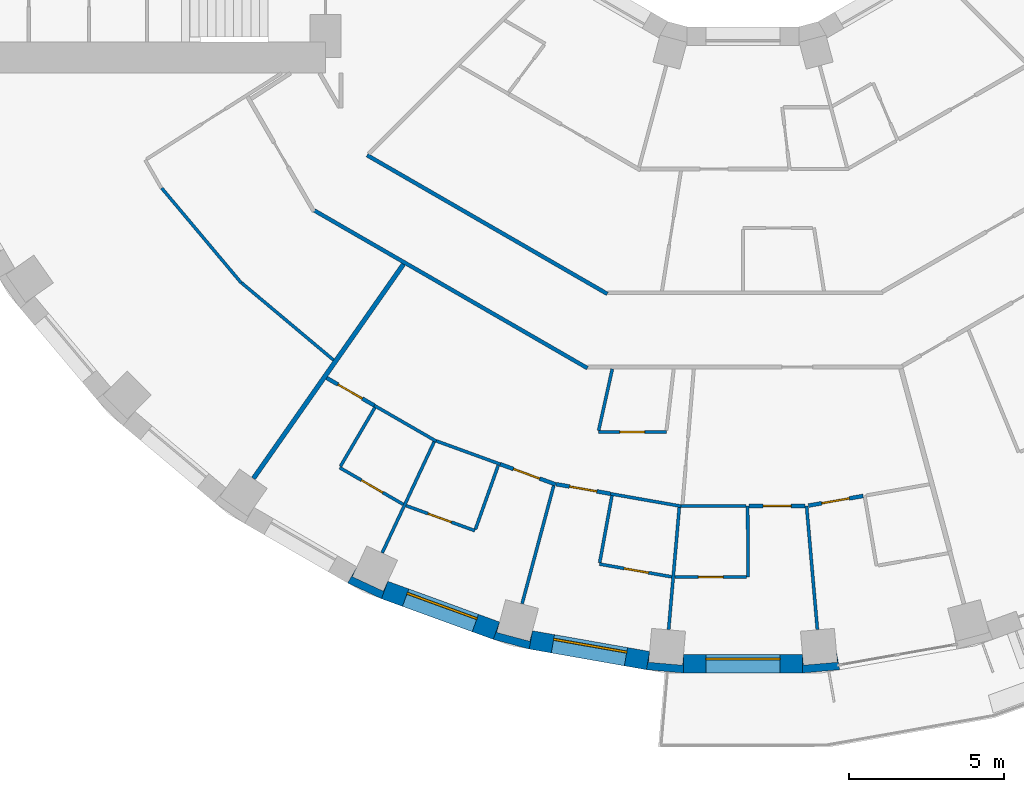
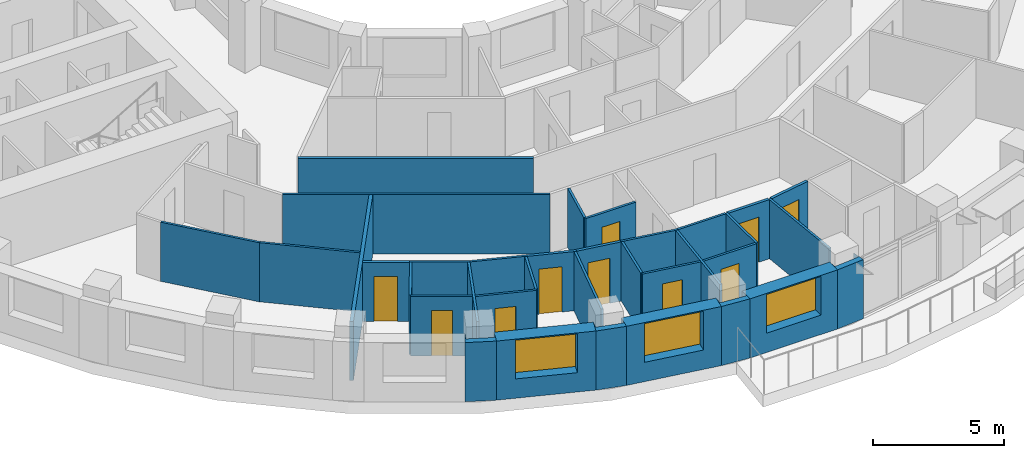
# One storey, part 5 of 17: 35 walls, 10 doors, 3 windows, 13 openings.
"""IFC4 building model written with IfcOpenShell, lengths in metres."""

from ifc_helpers import new_model, si_unit, direction, frame, frame_2d, origin, place, context, subcontext, project, spatial, polyline, rectangle, outline, extrude, material, layer, layer_set, type_object, element, fill, save


model = new_model("IFC4")

# Units and contexts
model_context = context("Model", 3, precision=1e-05, world=origin(), true_north=direction((0.0, 1.0)))
body_context = subcontext(model_context, "Body", "Model", "MODEL_VIEW")
ifc_project = project(units=[si_unit("LENGTHUNIT", "METRE"), si_unit("AREAUNIT", "SQUARE_METRE"), si_unit("VOLUMEUNIT", "CUBIC_METRE"), si_unit("PLANEANGLEUNIT", "RADIAN"), si_unit("MASSUNIT", "GRAM", prefix="KILO")], contexts=[model_context])

# Site, building, storey
site_placement = place(None, origin())
site = spatial("IfcSite", under=ifc_project, at=site_placement, CompositionType="ELEMENT")
building_placement = place(site_placement, origin())
building = spatial("IfcBuilding", under=site, at=building_placement, Name="Saqina Gate Tower", CompositionType="ELEMENT")
storey_placement = place(building_placement, frame((0.0, 0.0, 29.60009765625)))
storey = spatial("IfcBuildingStorey", under=building, at=storey_placement, Name="L07", CompositionType="ELEMENT", Elevation=29.60009765625)

# Walls
ifc_material_1 = material(Name="Brick masonry (red)", Category="masonry")
wall_type_1 = type_object("IfcWallType", Name="BRICK PIER COPING RED", PredefinedType="SOLIDWALL", material=ifc_material_1)
wall_1_placement = place(storey_placement, origin())
element("IfcWall", 1, at=wall_1_placement, inside=storey, type_object=wall_type_1, Name="Pier cap L07 column 25", PredefinedType="SOLIDWALL", context=body_context, shape_type="SweptSolid", body=[
    extrude(outline(polyline([(-11.687744140625, -26.48974609375), (-11.482666015625, -25.92578125), (-11.630615234375, -26.243408203125), (-12.627685546875, -25.778564453125), (-12.4794921875, -25.4609375), (-12.779541015625, -25.980712890625), (-11.687744140625, -26.48974609375)])), origin(), (0.0, 0.0, 1.0), 2.75),
])
wall_2_placement = place(storey_placement, origin())
element("IfcWall", 2, at=wall_2_placement, inside=storey, type_object=wall_type_1, Name="Pier cap L07 column 26", PredefinedType="SOLIDWALL", context=body_context, shape_type="SweptSolid", body=[
    extrude(outline(polyline([(-6.910400390625, -28.11669921875), (-6.80615234375, -27.52587890625), (-6.896728515625, -27.864501953125), (-7.95947265625, -27.57958984375), (-7.86865234375, -27.2412109375), (-8.073974609375, -27.80517578125), (-6.910400390625, -28.11669921875)])), origin(), (0.0, 0.0, 1.0), 2.75),
])
wall_3_placement = place(storey_placement, origin())
element("IfcWall", 3, at=wall_3_placement, inside=storey, type_object=wall_type_1, Name="Pier cap L07 column 27", PredefinedType="SOLIDWALL", context=body_context, shape_type="SweptSolid", body=[
    extrude(outline(polyline([(-3.122802734375, -28.78466796875), (-1.9228515625, -28.8896484375), (-1.9228515625, -28.28955078125), (-1.95361328125, -28.638671875), (-3.04931640625, -28.54296875), (-3.018798828125, -28.19384765625), (-3.122802734375, -28.78466796875)])), origin(), (0.0, 0.0, 1.0), 2.75),
])
wall_4_placement = place(storey_placement, origin())
element("IfcWall", 4, at=wall_4_placement, inside=storey, type_object=wall_type_1, Name="Pier cap L07 column 28", PredefinedType="SOLIDWALL", context=body_context, shape_type="SweptSolid", body=[
    extrude(outline(polyline([(1.9228515625, -28.8896484375), (3.122802734375, -28.78466796875), (3.018798828125, -28.19384765625), (3.04931640625, -28.54296875), (1.95361328125, -28.638671875), (1.9228515625, -28.28955078125), (1.9228515625, -28.8896484375)])), origin(), (0.0, 0.0, 1.0), 2.75),
])

# Wall, opening, window
ifc_material_2 = material(Name="Brick masonry (red)", Category="masonry")
ifc_layer_1 = layer(ifc_material_2, 0.60009765625)
ifc_layer_set_1 = layer_set([ifc_layer_1], Name="FW-BRICK-RED")
wall_type_2 = type_object("IfcWallType", Name="FW-BRICK-RED", PredefinedType="SOLIDWALL", material=ifc_layer_set_1)
wall_5_placement = place(storey_placement, frame((-11.585205078125, -26.207763671875, 0.0), z_axis=(0.0, 0.0, 1.0), x_axis=(0.939689588564, -0.342028474173, 0.0)))
wall_5 = element("IfcWall", 5, at=wall_5_placement, inside=storey, type_object=wall_type_2, Name="Facade wall L07 facet 25", PredefinedType="SOLIDWALL", context=body_context, shape_type="SweptSolid", body=[
    extrude(rectangle(XDim=3.845947265625, YDim=0.60009765625, at=frame_2d((1.9228515625, 0.0))), origin(), (0.0, 0.0, 1.0), 2.75),
])
opening_1_placement = place(wall_5_placement, frame((0.722900390625, 0.0, 0.89990234375)))
opening_1 = element("IfcOpeningElement", 6, at=opening_1_placement, cuts=wall_5, Name="Opening G01-W18", PredefinedType="OPENING", context=body_context, shape_type="SweptSolid", body=[
    extrude(rectangle(XDim=2.39990234375, YDim=1.800048828125, at=frame_2d((1.199951171875, 0.89990234375))), frame((0.0, 0.31201171875, 0.0), z_axis=(0.0, -1.0, 0.0), x_axis=(1.0, 0.0, 0.0)), (0.0, 0.0, 1.0), 0.6240234375),
])
ifc_material_3 = material(Name="Aluminium glazing", Category="aluminium")
window_type = type_object("IfcWindowType", Name="WN-A", PartitioningType="SINGLE_PANEL", PredefinedType="WINDOW", material=ifc_material_3)
window_1_placement = place(opening_1_placement, origin())
window_1 = element("IfcWindow", 7, at=window_1_placement, inside=storey, type_object=window_type, Name="Window L07 facet 25", OverallHeight=1.800048828125, OverallWidth=2.39990234375, PartitioningType="SINGLE_PANEL", PredefinedType="WINDOW", context=body_context, shape_type="SweptSolid", body=[
    extrude(rectangle(XDim=2.39990234375, YDim=1.800048828125, at=frame_2d((1.199951171875, 0.89990234375))), frame((0.0, 0.179931640625, 0.0), z_axis=(0.0, -1.0, 0.0), x_axis=(1.0, 0.0, 0.0)), (0.0, 0.0, 1.0), 0.06005859375),
])
fill(opening_1, window_1)

wall_6_placement = place(storey_placement, frame((-6.858154296875, -27.8212890625, 0.0), z_axis=(0.0, 0.0, 1.0), x_axis=(0.984800809218, -0.173687553279, 0.0)))
wall_6 = element("IfcWall", 8, at=wall_6_placement, inside=storey, type_object=wall_type_2, Name="Facade wall L07 facet 26", PredefinedType="SOLIDWALL", context=body_context, shape_type="SweptSolid", body=[
    extrude(rectangle(XDim=3.845703125, YDim=0.60009765625, at=frame_2d((1.9228515625, 0.0))), origin(), (0.0, 0.0, 1.0), 2.75),
])
opening_2_placement = place(wall_6_placement, frame((0.722900390625, 0.0, 0.89990234375)))
opening_2 = element("IfcOpeningElement", 9, at=opening_2_placement, cuts=wall_6, Name="Opening G01-W19", PredefinedType="OPENING", context=body_context, shape_type="SweptSolid", body=[
    extrude(rectangle(XDim=2.39990234375, YDim=1.800048828125, at=frame_2d((1.199951171875, 0.89990234375))), frame((0.0, 0.31201171875, 0.0), z_axis=(0.0, -1.0, 0.0), x_axis=(1.0, 0.0, 0.0)), (0.0, 0.0, 1.0), 0.6240234375),
])
window_2_placement = place(opening_2_placement, origin())
window_2 = element("IfcWindow", 10, at=window_2_placement, inside=storey, type_object=window_type, Name="Window L07 facet 26", OverallHeight=1.800048828125, OverallWidth=2.39990234375, PartitioningType="SINGLE_PANEL", PredefinedType="WINDOW", context=body_context, shape_type="SweptSolid", body=[
    extrude(rectangle(XDim=2.39990234375, YDim=1.800048828125, at=frame_2d((1.199951171875, 0.89990234375))), frame((0.0, 0.179931640625, 0.0), z_axis=(0.0, -1.0, 0.0), x_axis=(1.0, 0.0, 0.0)), (0.0, 0.0, 1.0), 0.06005859375),
])
fill(opening_2, window_2)

wall_7_placement = place(storey_placement, frame((-1.9228515625, -28.589599609375, 0.0), z_axis=(0.0, 0.0, 1.0), x_axis=(1.0, 0.0, 0.0)))
wall_7 = element("IfcWall", 11, at=wall_7_placement, inside=storey, type_object=wall_type_2, Name="Facade wall L07 facet 27", PredefinedType="SOLIDWALL", context=body_context, shape_type="SweptSolid", body=[
    extrude(rectangle(XDim=3.845703125, YDim=0.60009765625, at=frame_2d((1.9228515625, 0.0))), origin(), (0.0, 0.0, 1.0), 2.75),
])
opening_3_placement = place(wall_7_placement, frame((0.722900390625, 0.0, 0.89990234375)))
opening_3 = element("IfcOpeningElement", 12, at=opening_3_placement, cuts=wall_7, Name="Opening G01-W20", PredefinedType="OPENING", context=body_context, shape_type="SweptSolid", body=[
    extrude(rectangle(XDim=2.39990234375, YDim=1.800048828125, at=frame_2d((1.199951171875, 0.89990234375))), frame((0.0, 0.31201171875, 0.0), z_axis=(0.0, -1.0, 0.0), x_axis=(1.0, 0.0, 0.0)), (0.0, 0.0, 1.0), 0.6240234375),
])
window_3_placement = place(opening_3_placement, origin())
window_3 = element("IfcWindow", 13, at=window_3_placement, inside=storey, type_object=window_type, Name="Window L07 facet 27", OverallHeight=1.800048828125, OverallWidth=2.39990234375, PartitioningType="SINGLE_PANEL", PredefinedType="WINDOW", context=body_context, shape_type="SweptSolid", body=[
    extrude(rectangle(XDim=2.39990234375, YDim=1.800048828125, at=frame_2d((1.199951171875, 0.89990234375))), frame((0.0, 0.179931640625, 0.0), z_axis=(0.0, -1.0, 0.0), x_axis=(1.0, 0.0, 0.0)), (0.0, 0.0, 1.0), 0.06005859375),
])
fill(opening_3, window_3)

# Walls
ifc_material_4 = material(Name="Gypsum board on steel studs, 100 mm", Category="steel")
ifc_layer_2 = layer(ifc_material_4, 0.10009765625)
ifc_layer_set_2 = layer_set([ifc_layer_2], Name="PARTITION 100")
wall_type_3 = type_object("IfcWallType", Name="PARTITION 100", PredefinedType="PARTITIONING", material=ifc_layer_set_2)
wall_8_placement = place(storey_placement, frame((0.14990234375, -23.489990234375, 0.0), z_axis=(0.0, 0.0, 1.0), x_axis=(0.006580899844, -0.999978345644, 0.0)))
element("IfcWall", 14, at=wall_8_placement, inside=storey, type_object=wall_type_3, Name="PARTITION PW3-02", PredefinedType="PARTITIONING", context=body_context, shape_type="SweptSolid", body=[
    extrude(rectangle(XDim=2.300048828125, YDim=0.10009765625, at=frame_2d((1.14990234375, 0.0))), origin(), (0.0, 0.0, 1.0), 2.75),
])
wall_9_placement = place(storey_placement, frame((2.054931640625, -23.489990234375, 0.0), z_axis=(0.0, 0.0, 1.0), x_axis=(0.087176012461, -0.996192924514, 0.0)))
element("IfcWall", 15, at=wall_9_placement, inside=storey, type_object=wall_type_3, Name="PARTITION PW3-04", PredefinedType="PARTITIONING", context=body_context, shape_type="SweptSolid", body=[
    extrude(rectangle(XDim=4.010498046875, YDim=0.10009765625, at=frame_2d((2.00537109375, 0.0))), origin(), (0.0, 0.0, 1.0), 2.75),
])
wall_10_placement = place(storey_placement, frame((-18.789794921875, -13.21728515625, 0.0), z_axis=(0.0, 0.0, 1.0), x_axis=(0.642871887239, -0.765973717955, 0.0)))
element("IfcWall", 16, at=wall_10_placement, inside=storey, type_object=wall_type_3, Name="PARTITION PW3-28", PredefinedType="PARTITIONING", context=body_context, shape_type="SweptSolid", body=[
    extrude(rectangle(XDim=4.006103515625, YDim=0.10009765625, at=frame_2d((2.0029296875, 0.0))), origin(), (0.0, 0.0, 1.0), 2.75),
])
wall_11_placement = place(storey_placement, frame((-16.208740234375, -16.279052734375, 0.0), z_axis=(0.0, 0.0, 1.0), x_axis=(0.765983658549, -0.642860042961, 0.0)))
element("IfcWall", 17, at=wall_11_placement, inside=storey, type_object=wall_type_3, Name="PARTITION PW3-33", PredefinedType="PARTITIONING", context=body_context, shape_type="SweptSolid", body=[
    extrude(rectangle(XDim=3.880615234375, YDim=0.10009765625, at=frame_2d((1.9404296875, 0.0))), origin(), (0.0, 0.0, 1.0), 2.75),
])

# Wall, opening, door
wall_12_placement = place(storey_placement, frame((-13.0380859375, -22.251953125, 0.0), z_axis=(0.0, 0.0, 1.0), x_axis=(0.865966132161, -0.500102647413, 0.0)))
wall_12 = element("IfcWall", 18, at=wall_12_placement, inside=storey, type_object=wall_type_3, Name="PARTITION PW3-37", PredefinedType="PARTITIONING", context=body_context, shape_type="SweptSolid", body=[
    extrude(rectangle(XDim=2.37158203125, YDim=0.10009765625, at=frame_2d((1.185791015625, 0.0))), origin(), (0.0, 0.0, 1.0), 2.75),
])
opening_4_placement = place(wall_12_placement, frame((0.810791015625, 0.0, 0.0)))
opening_4 = element("IfcOpeningElement", 19, at=opening_4_placement, cuts=wall_12, Name="Opening G01-D44", PredefinedType="OPENING", context=body_context, shape_type="SweptSolid", body=[
    extrude(rectangle(XDim=0.800048828125, YDim=2.10009765625, at=frame_2d((0.39990234375, 1.050048828125))), frame((0.0, 0.06201171875, 0.0), z_axis=(0.0, -1.0, 0.0), x_axis=(1.0, 0.0, 0.0)), (0.0, 0.0, 1.0), 0.1240234375),
])
ifc_material_5 = material(Name="Timber door leaf, 800 mm", Category="wood")
door_type_1 = type_object("IfcDoorType", Name="DOOR 800 TIMBER", OperationType="SINGLE_SWING_LEFT", PredefinedType="DOOR", material=ifc_material_5)
door_1_placement = place(opening_4_placement, frame((0.800048828125, 0.0, 0.0), z_axis=(0.0, 0.0, 1.0), x_axis=(-1.0, 0.0, 0.0)))
door_1 = element("IfcDoor", 20, at=door_1_placement, inside=storey, type_object=door_type_1, Name="DOOR G01-D44", OperationType="SINGLE_SWING_LEFT", OverallHeight=2.10009765625, OverallWidth=0.800048828125, PredefinedType="DOOR", context=body_context, shape_type="SweptSolid", body=[
    extrude(rectangle(XDim=0.800048828125, YDim=2.10009765625, at=frame_2d((0.39990234375, 1.050048828125))), frame((0.0, 0.02490234375, 0.0), z_axis=(0.0, -1.0, 0.0), x_axis=(1.0, 0.0, 0.0)), (0.0, 0.0, 1.0), 0.050048828125),
])
fill(opening_4, door_1)

# Wall
wall_13_placement = place(storey_placement, frame((-11.918212890625, -20.24267578125, 0.0), z_axis=(0.0, 0.0, 1.0), x_axis=(0.866176772653, -0.49973772973, 0.0)))
element("IfcWall", 21, at=wall_13_placement, inside=storey, type_object=wall_type_3, Name="PARTITION PW3-38", PredefinedType="PARTITIONING", context=body_context, shape_type="SweptSolid", body=[
    extrude(rectangle(XDim=2.305908203125, YDim=0.10009765625, at=frame_2d((1.15283203125, 0.0))), origin(), (0.0, 0.0, 1.0), 2.75),
])

# Wall, opening, door
wall_14_placement = place(storey_placement, frame((-10.89404296875, -23.47998046875, 0.0), z_axis=(0.0, 0.0, 1.0), x_axis=(0.939679129941, -0.342057206844, 0.0)))
wall_14 = element("IfcWall", 22, at=wall_14_placement, inside=storey, type_object=wall_type_3, Name="PARTITION PW3-47", PredefinedType="PARTITIONING", context=body_context, shape_type="SweptSolid", body=[
    extrude(rectangle(XDim=2.37109375, YDim=0.10009765625, at=frame_2d((1.185546875, 0.0))), origin(), (0.0, 0.0, 1.0), 2.75),
])
opening_5_placement = place(wall_14_placement, frame((0.760498046875, 0.0, 0.0)))
opening_5 = element("IfcOpeningElement", 23, at=opening_5_placement, cuts=wall_14, Name="Opening G01-D46", PredefinedType="OPENING", context=body_context, shape_type="SweptSolid", body=[
    extrude(rectangle(XDim=0.800048828125, YDim=2.10009765625, at=frame_2d((0.39990234375, 1.050048828125))), frame((0.0, 0.06201171875, 0.0), z_axis=(0.0, -1.0, 0.0), x_axis=(1.0, 0.0, 0.0)), (0.0, 0.0, 1.0), 0.1240234375),
])
door_2_placement = place(opening_5_placement, frame((0.800048828125, 0.0, 0.0), z_axis=(0.0, 0.0, 1.0), x_axis=(-1.0, 0.0, 0.0)))
door_2 = element("IfcDoor", 24, at=door_2_placement, inside=storey, type_object=door_type_1, Name="DOOR G01-D46", OperationType="SINGLE_SWING_RIGHT", OverallHeight=2.10009765625, OverallWidth=0.800048828125, PredefinedType="DOOR", context=body_context, shape_type="SweptSolid", body=[
    extrude(rectangle(XDim=0.800048828125, YDim=2.10009765625, at=frame_2d((0.39990234375, 1.050048828125))), frame((0.0, 0.02490234375, 0.0), z_axis=(0.0, -1.0, 0.0), x_axis=(1.0, 0.0, 0.0)), (0.0, 0.0, 1.0), 0.050048828125),
])
fill(opening_5, door_2)

# Wall
wall_15_placement = place(storey_placement, frame((-9.91796875, -21.38720703125, 0.0), z_axis=(0.0, 0.0, 1.0), x_axis=(0.939728749343, -0.341920864613, 0.0)))
element("IfcWall", 25, at=wall_15_placement, inside=storey, type_object=wall_type_3, Name="PARTITION PW3-48", PredefinedType="PARTITIONING", context=body_context, shape_type="SweptSolid", body=[
    extrude(rectangle(XDim=2.204833984375, YDim=0.10009765625, at=frame_2d((1.1025390625, 0.0))), origin(), (0.0, 0.0, 1.0), 2.75),
])

# Wall, opening, door
wall_16_placement = place(storey_placement, frame((-4.64111328125, -25.368896484375, 0.0), z_axis=(0.0, 0.0, 1.0), x_axis=(0.984774232096, -0.17383817705, 0.0)))
wall_16 = element("IfcWall", 26, at=wall_16_placement, inside=storey, type_object=wall_type_3, Name="PARTITION PW3-51", PredefinedType="PARTITIONING", context=body_context, shape_type="SweptSolid", body=[
    extrude(rectangle(XDim=2.3720703125, YDim=0.10009765625, at=frame_2d((1.18603515625, 0.0))), origin(), (0.0, 0.0, 1.0), 2.75),
])
opening_6_placement = place(wall_16_placement, frame((0.810791015625, 0.0, 0.0)))
opening_6 = element("IfcOpeningElement", 27, at=opening_6_placement, cuts=wall_16, Name="Opening G01-D51", PredefinedType="OPENING", context=body_context, shape_type="SweptSolid", body=[
    extrude(rectangle(XDim=0.800048828125, YDim=2.10009765625, at=frame_2d((0.39990234375, 1.050048828125))), frame((0.0, 0.06201171875, 0.0), z_axis=(0.0, -1.0, 0.0), x_axis=(1.0, 0.0, 0.0)), (0.0, 0.0, 1.0), 0.1240234375),
])
door_3_placement = place(opening_6_placement, frame((0.800048828125, 0.0, 0.0), z_axis=(0.0, 0.0, 1.0), x_axis=(-1.0, 0.0, 0.0)))
door_3 = element("IfcDoor", 28, at=door_3_placement, inside=storey, type_object=door_type_1, Name="DOOR G01-D51", OperationType="SINGLE_SWING_LEFT", OverallHeight=2.10009765625, OverallWidth=0.800048828125, PredefinedType="DOOR", context=body_context, shape_type="SweptSolid", body=[
    extrude(rectangle(XDim=0.800048828125, YDim=2.10009765625, at=frame_2d((0.39990234375, 1.050048828125))), frame((0.0, 0.02490234375, 0.0), z_axis=(0.0, -1.0, 0.0), x_axis=(1.0, 0.0, 0.0)), (0.0, 0.0, 1.0), 0.050048828125),
])
fill(opening_6, door_3)

# Wall
wall_17_placement = place(storey_placement, frame((-4.276123046875, -23.098388671875, 0.0), z_axis=(0.0, 0.0, 1.0), x_axis=(0.984814448646, -0.173610200557, 0.0)))
element("IfcWall", 29, at=wall_17_placement, inside=storey, type_object=wall_type_3, Name="PARTITION PW3-52", PredefinedType="PARTITIONING", context=body_context, shape_type="SweptSolid", body=[
    extrude(rectangle(XDim=2.30615234375, YDim=0.10009765625, at=frame_2d((1.153076171875, 0.0))), origin(), (0.0, 0.0, 1.0), 2.75),
])

# Wall, opening, door
wall_18_placement = place(storey_placement, frame((-2.2060546875, -25.7900390625, 0.0), z_axis=(0.0, 0.0, 1.0), x_axis=(1.0, 0.0, 0.0)))
wall_18 = element("IfcWall", 30, at=wall_18_placement, inside=storey, type_object=wall_type_3, Name="PARTITION PW3-55", PredefinedType="PARTITIONING", context=body_context, shape_type="SweptSolid", body=[
    extrude(rectangle(XDim=2.321044921875, YDim=0.10009765625, at=frame_2d((1.16064453125, 0.0))), origin(), (0.0, 0.0, 1.0), 2.75),
])
opening_7_placement = place(wall_18_placement, frame((0.760498046875, 0.0, 0.0)))
opening_7 = element("IfcOpeningElement", 31, at=opening_7_placement, cuts=wall_18, Name="Opening G01-D54", PredefinedType="OPENING", context=body_context, shape_type="SweptSolid", body=[
    extrude(rectangle(XDim=0.800048828125, YDim=2.10009765625, at=frame_2d((0.39990234375, 1.050048828125))), frame((0.0, 0.06201171875, 0.0), z_axis=(0.0, -1.0, 0.0), x_axis=(1.0, 0.0, 0.0)), (0.0, 0.0, 1.0), 0.1240234375),
])
door_4_placement = place(opening_7_placement, frame((0.800048828125, 0.0, 0.0), z_axis=(0.0, 0.0, 1.0), x_axis=(-1.0, 0.0, 0.0)))
door_4 = element("IfcDoor", 32, at=door_4_placement, inside=storey, type_object=door_type_1, Name="DOOR G01-D54", OperationType="SINGLE_SWING_RIGHT", OverallHeight=2.10009765625, OverallWidth=0.800048828125, PredefinedType="DOOR", context=body_context, shape_type="SweptSolid", body=[
    extrude(rectangle(XDim=0.800048828125, YDim=2.10009765625, at=frame_2d((0.39990234375, 1.050048828125))), frame((0.0, 0.02490234375, 0.0), z_axis=(0.0, -1.0, 0.0), x_axis=(1.0, 0.0, 0.0)), (0.0, 0.0, 1.0), 0.050048828125),
])
fill(opening_7, door_4)

# Wall
wall_19_placement = place(storey_placement, frame((-2.0048828125, -23.489990234375, 0.0), z_axis=(0.0, 0.0, 1.0), x_axis=(1.0, 0.0, 0.0)))
element("IfcWall", 33, at=wall_19_placement, inside=storey, type_object=wall_type_3, Name="PARTITION PW3-56", PredefinedType="PARTITIONING", context=body_context, shape_type="SweptSolid", body=[
    extrude(rectangle(XDim=2.10498046875, YDim=0.10009765625, at=frame_2d((1.052490234375, 0.0))), origin(), (0.0, 0.0, 1.0), 2.75),
])

# Wall, opening, door
wall_20_placement = place(storey_placement, frame((-4.677978515625, -21.10009765625, 0.0), z_axis=(0.0, 0.0, 1.0), x_axis=(1.0, 0.0, 0.0)))
wall_20 = element("IfcWall", 34, at=wall_20_placement, inside=storey, type_object=wall_type_3, Name="PARTITION PW3-57", PredefinedType="PARTITIONING", context=body_context, shape_type="SweptSolid", body=[
    extrude(rectangle(XDim=2.197998046875, YDim=0.10009765625, at=frame_2d((1.09912109375, 0.0))), origin(), (0.0, 0.0, 1.0), 2.75),
])
opening_8_placement = place(wall_20_placement, frame((0.698974609375, 0.0, 0.0)))
opening_8 = element("IfcOpeningElement", 35, at=opening_8_placement, cuts=wall_20, Name="Opening G01-D49", PredefinedType="OPENING", context=body_context, shape_type="SweptSolid", body=[
    extrude(rectangle(XDim=0.800048828125, YDim=2.10009765625, at=frame_2d((0.39990234375, 1.050048828125))), frame((0.0, 0.06201171875, 0.0), z_axis=(0.0, -1.0, 0.0), x_axis=(1.0, 0.0, 0.0)), (0.0, 0.0, 1.0), 0.1240234375),
])
door_5_placement = place(opening_8_placement, frame((0.800048828125, 0.0, 0.0), z_axis=(0.0, 0.0, 1.0), x_axis=(-1.0, 0.0, 0.0)))
door_5 = element("IfcDoor", 36, at=door_5_placement, inside=storey, type_object=door_type_1, Name="DOOR G01-D49", OperationType="SINGLE_SWING_LEFT", OverallHeight=2.10009765625, OverallWidth=0.800048828125, PredefinedType="DOOR", context=body_context, shape_type="SweptSolid", body=[
    extrude(rectangle(XDim=0.800048828125, YDim=2.10009765625, at=frame_2d((0.39990234375, 1.050048828125))), frame((0.0, 0.02490234375, 0.0), z_axis=(0.0, -1.0, 0.0), x_axis=(1.0, 0.0, 0.0)), (0.0, 0.0, 1.0), 0.050048828125),
])
fill(opening_8, door_5)

# Walls
wall_21_placement = place(storey_placement, frame((-13.0126953125, -22.208984375, 0.0), z_axis=(0.0, 0.0, 1.0), x_axis=(0.505622659536, 0.862754731174, 0.0)))
element("IfcWall", 37, at=wall_21_placement, inside=storey, type_object=wall_type_3, Name="PARTITION PW3-100", PredefinedType="PARTITIONING", context=body_context, shape_type="SweptSolid", body=[
    extrude(rectangle(XDim=2.199951171875, YDim=0.10009765625, at=frame_2d((1.10009765625, 0.0))), origin(), (0.0, 0.0, 1.0), 2.75),
])
wall_22_placement = place(storey_placement, frame((-11.66162109375, -25.004150390625, 0.0), z_axis=(0.0, 0.0, 1.0), x_axis=(0.423587219874, 0.905855323525, 0.0)))
element("IfcWall", 38, at=wall_22_placement, inside=storey, type_object=wall_type_3, Name="PARTITION PW3-104", PredefinedType="PARTITIONING", context=body_context, shape_type="SweptSolid", body=[
    extrude(rectangle(XDim=3.960693359375, YDim=0.10009765625, at=frame_2d((1.98046875, 0.0))), origin(), (0.0, 0.0, 1.0), 2.75),
])
wall_23_placement = place(storey_placement, frame((-8.649169921875, -24.243896484375, 0.0), z_axis=(0.0, 0.0, 1.0), x_axis=(0.335940567571, 0.941883185464, 0.0)))
element("IfcWall", 39, at=wall_23_placement, inside=storey, type_object=wall_type_3, Name="PARTITION PW3-106", PredefinedType="PARTITIONING", context=body_context, shape_type="SweptSolid", body=[
    extrude(rectangle(XDim=2.188232421875, YDim=0.10009765625, at=frame_2d((1.09423828125, 0.0))), origin(), (0.0, 0.0, 1.0), 2.75),
])
wall_24_placement = place(storey_placement, frame((-7.140625, -26.64990234375, 0.0), z_axis=(0.0, 0.0, 1.0), x_axis=(0.258740206688, 0.96594694753, 0.0)))
element("IfcWall", 40, at=wall_24_placement, inside=storey, type_object=wall_type_3, Name="PARTITION PW3-108", PredefinedType="PARTITIONING", context=body_context, shape_type="SweptSolid", body=[
    extrude(rectangle(XDim=3.947998046875, YDim=0.10009765625, at=frame_2d((1.97412109375, 0.0))), origin(), (0.0, 0.0, 1.0), 2.75),
])
wall_25_placement = place(storey_placement, frame((-4.667236328125, -21.05126953125, 0.0), z_axis=(0.0, 0.0, 1.0), x_axis=(0.216638806782, 0.976251825809, 0.0)))
element("IfcWall", 41, at=wall_25_placement, inside=storey, type_object=wall_type_3, Name="PARTITION PW3-111", PredefinedType="PARTITIONING", context=body_context, shape_type="SweptSolid", body=[
    extrude(rectangle(XDim=2.03857421875, YDim=0.10009765625, at=frame_2d((1.019287109375, 0.0))), origin(), (0.0, 0.0, 1.0), 2.75),
])
wall_26_placement = place(storey_placement, frame((-4.632080078125, -25.31982421875, 0.0), z_axis=(0.0, 0.0, 1.0), x_axis=(0.180037913286, 0.983659671726, 0.0)))
element("IfcWall", 42, at=wall_26_placement, inside=storey, type_object=wall_type_3, Name="PARTITION PW3-112", PredefinedType="PARTITIONING", context=body_context, shape_type="SweptSolid", body=[
    extrude(rectangle(XDim=2.199462890625, YDim=0.10009765625, at=frame_2d((1.099609375, 0.0))), origin(), (0.0, 0.0, 1.0), 2.75),
])
wall_27_placement = place(storey_placement, frame((-2.404052734375, -27.485107421875, 0.0), z_axis=(0.0, 0.0, 1.0), x_axis=(0.087044593785, 0.996204416118, 0.0)))
element("IfcWall", 43, at=wall_27_placement, inside=storey, type_object=wall_type_3, Name="PARTITION PW3-117", PredefinedType="PARTITIONING", context=body_context, shape_type="SweptSolid", body=[
    extrude(rectangle(XDim=3.96044921875, YDim=0.10009765625, at=frame_2d((1.980224609375, 0.0))), origin(), (0.0, 0.0, 1.0), 2.75),
])

# Wall, opening, door
ifc_material_6 = material(Name="Gypsum board on steel studs, 125 mm, fire rated", Category="steel")
ifc_layer_3 = layer(ifc_material_6, 0.125)
ifc_layer_set_3 = layer_set([ifc_layer_3], Name="PARTITION EI 30 125")
wall_type_4 = type_object("IfcWallType", Name="PARTITION EI 30 125", PredefinedType="PARTITIONING", material=ifc_layer_set_3)
wall_28_placement = place(storey_placement, frame((-13.458984375, -19.3525390625, 0.0), z_axis=(0.0, 0.0, 1.0), x_axis=(0.865826772399, -0.500343881942, 0.0)))
wall_28 = element("IfcWall", 44, at=wall_28_placement, inside=storey, type_object=wall_type_4, Name="PARTITION PW1-13", PredefinedType="PARTITIONING", context=body_context, shape_type="SweptSolid", body=[
    extrude(rectangle(XDim=1.779541015625, YDim=0.125, at=frame_2d((0.8896484375, 0.0))), origin(), (0.0, 0.0, 1.0), 2.75),
])
opening_9_placement = place(wall_28_placement, frame((0.42724609375, 0.0, 0.0)))
opening_9 = element("IfcOpeningElement", 45, at=opening_9_placement, cuts=wall_28, Name="Opening G01-D43", PredefinedType="OPENING", context=body_context, shape_type="SweptSolid", body=[
    extrude(rectangle(XDim=0.89990234375, YDim=2.10009765625, at=frame_2d((0.449951171875, 1.050048828125))), frame((0.0, 0.074462890625, 0.0), z_axis=(0.0, -1.0, 0.0), x_axis=(1.0, 0.0, 0.0)), (0.0, 0.0, 1.0), 0.14892578125),
])
ifc_material_7 = material(Name="Fire door leaf EI 30, 900 mm")
door_type_2 = type_object("IfcDoorType", Name="DOOR 900 EI 30", OperationType="SINGLE_SWING_LEFT", PredefinedType="DOOR", material=ifc_material_7)
door_6_placement = place(opening_9_placement, origin())
door_6 = element("IfcDoor", 46, at=door_6_placement, inside=storey, type_object=door_type_2, Name="DOOR G01-D43", OperationType="SINGLE_SWING_LEFT", OverallHeight=2.10009765625, OverallWidth=0.89990234375, PredefinedType="DOOR", context=body_context, shape_type="SweptSolid", body=[
    extrude(rectangle(XDim=0.89990234375, YDim=2.10009765625, at=frame_2d((0.449951171875, 1.050048828125))), frame((0.0, 0.02490234375, 0.0), z_axis=(0.0, -1.0, 0.0), x_axis=(1.0, 0.0, 0.0)), (0.0, 0.0, 1.0), 0.050048828125),
])
fill(opening_9, door_6)

# Walls
wall_29_placement = place(storey_placement, frame((-13.85498046875, -13.940185546875, 0.0), z_axis=(0.0, 0.0, 1.0), x_axis=(0.866024825845, -0.50000100102, 0.0)))
element("IfcWall", 47, at=wall_29_placement, inside=storey, type_object=wall_type_4, Name="PARTITION PW1-14", PredefinedType="PARTITIONING", context=body_context, shape_type="SweptSolid", body=[
    extrude(rectangle(XDim=10.19189453125, YDim=0.125, at=frame_2d((5.095947265625, 0.0))), origin(), (0.0, 0.0, 1.0), 2.75),
])
wall_30_placement = place(storey_placement, frame((-12.152099609375, -12.152099609375, 0.0), z_axis=(0.0, 0.0, 1.0), x_axis=(0.866033263559, -0.499986386223, 0.0)))
element("IfcWall", 48, at=wall_30_placement, inside=storey, type_object=wall_type_4, Name="PARTITION PW1-15", PredefinedType="PARTITIONING", context=body_context, shape_type="SweptSolid", body=[
    extrude(rectangle(XDim=8.968017578125, YDim=0.125, at=frame_2d((4.48388671875, 0.0))), origin(), (0.0, 0.0, 1.0), 2.75),
])

# Wall, opening, door
wall_31_placement = place(storey_placement, frame((-7.845947265625, -22.14111328125, 0.0), z_axis=(0.0, 0.0, 1.0), x_axis=(0.939598786757, -0.342277840247, 0.0)))
wall_31 = element("IfcWall", 49, at=wall_31_placement, inside=storey, type_object=wall_type_4, Name="PARTITION PW1-21", PredefinedType="PARTITIONING", context=body_context, shape_type="SweptSolid", body=[
    extrude(rectangle(XDim=1.906005859375, YDim=0.125, at=frame_2d((0.953125, 0.0))), origin(), (0.0, 0.0, 1.0), 2.75),
])
opening_10_placement = place(wall_31_placement, frame((0.452392578125, 0.0, 0.0)))
opening_10 = element("IfcOpeningElement", 50, at=opening_10_placement, cuts=wall_31, Name="Opening G01-D47", PredefinedType="OPENING", context=body_context, shape_type="SweptSolid", body=[
    extrude(rectangle(XDim=0.89990234375, YDim=2.10009765625, at=frame_2d((0.449951171875, 1.050048828125))), frame((0.0, 0.074462890625, 0.0), z_axis=(0.0, -1.0, 0.0), x_axis=(1.0, 0.0, 0.0)), (0.0, 0.0, 1.0), 0.14892578125),
])
door_7_placement = place(opening_10_placement, origin())
door_7 = element("IfcDoor", 51, at=door_7_placement, inside=storey, type_object=door_type_2, Name="DOOR G01-D47", OperationType="SINGLE_SWING_RIGHT", OverallHeight=2.10009765625, OverallWidth=0.89990234375, PredefinedType="DOOR", context=body_context, shape_type="SweptSolid", body=[
    extrude(rectangle(XDim=0.89990234375, YDim=2.10009765625, at=frame_2d((0.449951171875, 1.050048828125))), frame((0.0, 0.02490234375, 0.0), z_axis=(0.0, -1.0, 0.0), x_axis=(1.0, 0.0, 0.0)), (0.0, 0.0, 1.0), 0.050048828125),
])
fill(opening_10, door_7)

wall_32_placement = place(storey_placement, frame((-6.04150390625, -22.786865234375, 0.0), z_axis=(0.0, 0.0, 1.0), x_axis=(0.984784929821, -0.173777564715, 0.0)))
wall_32 = element("IfcWall", 52, at=wall_32_placement, inside=storey, type_object=wall_type_4, Name="PARTITION PW1-23", PredefinedType="PARTITIONING", context=body_context, shape_type="SweptSolid", body=[
    extrude(rectangle(XDim=1.792724609375, YDim=0.125, at=frame_2d((0.896484375, 0.0))), origin(), (0.0, 0.0, 1.0), 2.75),
])
opening_11_placement = place(wall_32_placement, frame((0.43994140625, 0.0, 0.0)))
opening_11 = element("IfcOpeningElement", 53, at=opening_11_placement, cuts=wall_32, Name="Opening G01-D48", PredefinedType="OPENING", context=body_context, shape_type="SweptSolid", body=[
    extrude(rectangle(XDim=0.89990234375, YDim=2.10009765625, at=frame_2d((0.449951171875, 1.050048828125))), frame((0.0, 0.074462890625, 0.0), z_axis=(0.0, -1.0, 0.0), x_axis=(1.0, 0.0, 0.0)), (0.0, 0.0, 1.0), 0.14892578125),
])
door_8_placement = place(opening_11_placement, origin())
door_8 = element("IfcDoor", 54, at=door_8_placement, inside=storey, type_object=door_type_2, Name="DOOR G01-D48", OperationType="SINGLE_SWING_LEFT", OverallHeight=2.10009765625, OverallWidth=0.89990234375, PredefinedType="DOOR", context=body_context, shape_type="SweptSolid", body=[
    extrude(rectangle(XDim=0.89990234375, YDim=2.10009765625, at=frame_2d((0.449951171875, 1.050048828125))), frame((0.0, 0.02490234375, 0.0), z_axis=(0.0, -1.0, 0.0), x_axis=(1.0, 0.0, 0.0)), (0.0, 0.0, 1.0), 0.050048828125),
])
fill(opening_11, door_8)

wall_33_placement = place(storey_placement, frame((0.199951171875, -23.489990234375, 0.0), z_axis=(0.0, 0.0, 1.0), x_axis=(1.0, 0.0, 0.0)))
wall_33 = element("IfcWall", 55, at=wall_33_placement, inside=storey, type_object=wall_type_4, Name="PARTITION PW1-25", PredefinedType="PARTITIONING", context=body_context, shape_type="SweptSolid", body=[
    extrude(rectangle(XDim=1.804931640625, YDim=0.125, at=frame_2d((0.90234375, 0.0))), origin(), (0.0, 0.0, 1.0), 2.75),
])
opening_12_placement = place(wall_33_placement, frame((0.452392578125, 0.0, 0.0)))
opening_12 = element("IfcOpeningElement", 56, at=opening_12_placement, cuts=wall_33, Name="Opening G01-D55", PredefinedType="OPENING", context=body_context, shape_type="SweptSolid", body=[
    extrude(rectangle(XDim=0.89990234375, YDim=2.10009765625, at=frame_2d((0.449951171875, 1.050048828125))), frame((0.0, 0.074462890625, 0.0), z_axis=(0.0, -1.0, 0.0), x_axis=(1.0, 0.0, 0.0)), (0.0, 0.0, 1.0), 0.14892578125),
])
door_9_placement = place(opening_12_placement, origin())
door_9 = element("IfcDoor", 57, at=door_9_placement, inside=storey, type_object=door_type_2, Name="DOOR G01-D55", OperationType="SINGLE_SWING_RIGHT", OverallHeight=2.10009765625, OverallWidth=0.89990234375, PredefinedType="DOOR", context=body_context, shape_type="SweptSolid", body=[
    extrude(rectangle(XDim=0.89990234375, YDim=2.10009765625, at=frame_2d((0.449951171875, 1.050048828125))), frame((0.0, 0.02490234375, 0.0), z_axis=(0.0, -1.0, 0.0), x_axis=(1.0, 0.0, 0.0)), (0.0, 0.0, 1.0), 0.050048828125),
])
fill(opening_12, door_9)

wall_34_placement = place(storey_placement, frame((2.116455078125, -23.479248046875, 0.0), z_axis=(0.0, 0.0, 1.0), x_axis=(0.984784929821, 0.173777564715, 0.0)))
wall_34 = element("IfcWall", 58, at=wall_34_placement, inside=storey, type_object=wall_type_4, Name="PARTITION PW1-33", PredefinedType="PARTITIONING", context=body_context, shape_type="SweptSolid", body=[
    extrude(rectangle(XDim=1.792724609375, YDim=0.125, at=frame_2d((0.896484375, 0.0))), origin(), (0.0, 0.0, 1.0), 2.75),
])
opening_13_placement = place(wall_34_placement, frame((0.43994140625, 0.0, 0.0)))
opening_13 = element("IfcOpeningElement", 59, at=opening_13_placement, cuts=wall_34, Name="Opening G01-D59", PredefinedType="OPENING", context=body_context, shape_type="SweptSolid", body=[
    extrude(rectangle(XDim=0.89990234375, YDim=2.10009765625, at=frame_2d((0.449951171875, 1.050048828125))), frame((0.0, 0.074462890625, 0.0), z_axis=(0.0, -1.0, 0.0), x_axis=(1.0, 0.0, 0.0)), (0.0, 0.0, 1.0), 0.14892578125),
])
door_10_placement = place(opening_13_placement, origin())
door_10 = element("IfcDoor", 60, at=door_10_placement, inside=storey, type_object=door_type_2, Name="DOOR G01-D59", OperationType="SINGLE_SWING_LEFT", OverallHeight=2.10009765625, OverallWidth=0.89990234375, PredefinedType="DOOR", context=body_context, shape_type="SweptSolid", body=[
    extrude(rectangle(XDim=0.89990234375, YDim=2.10009765625, at=frame_2d((0.449951171875, 1.050048828125))), frame((0.0, 0.02490234375, 0.0), z_axis=(0.0, -1.0, 0.0), x_axis=(1.0, 0.0, 0.0)), (0.0, 0.0, 1.0), 0.050048828125),
])
fill(opening_13, door_10)

# Wall
ifc_material_8 = material(Name="Gypsum board on steel studs, 150 mm, fire rated", Category="steel")
ifc_layer_4 = layer(ifc_material_8, 0.14990234375)
ifc_layer_set_4 = layer_set([ifc_layer_4], Name="PARTITION EI 60 150")
wall_type_5 = type_object("IfcWallType", Name="PARTITION EI 60 150", PredefinedType="PARTITIONING", material=ifc_layer_set_4)
wall_35_placement = place(storey_placement, frame((-15.82470703125, -22.6005859375, 0.0), z_axis=(0.0, 0.0, 1.0), x_axis=(0.573566991507, 0.819158657559, 0.0)))
element("IfcWall", 61, at=wall_35_placement, inside=storey, type_object=wall_type_5, Name="PARTITION PW2-03", PredefinedType="PARTITIONING", context=body_context, shape_type="SweptSolid", body=[
    extrude(rectangle(XDim=8.454833984375, YDim=0.14990234375, at=frame_2d((4.2275390625, 0.0))), origin(), (0.0, 0.0, 1.0), 2.75),
])

save(model, "model.ifc")
